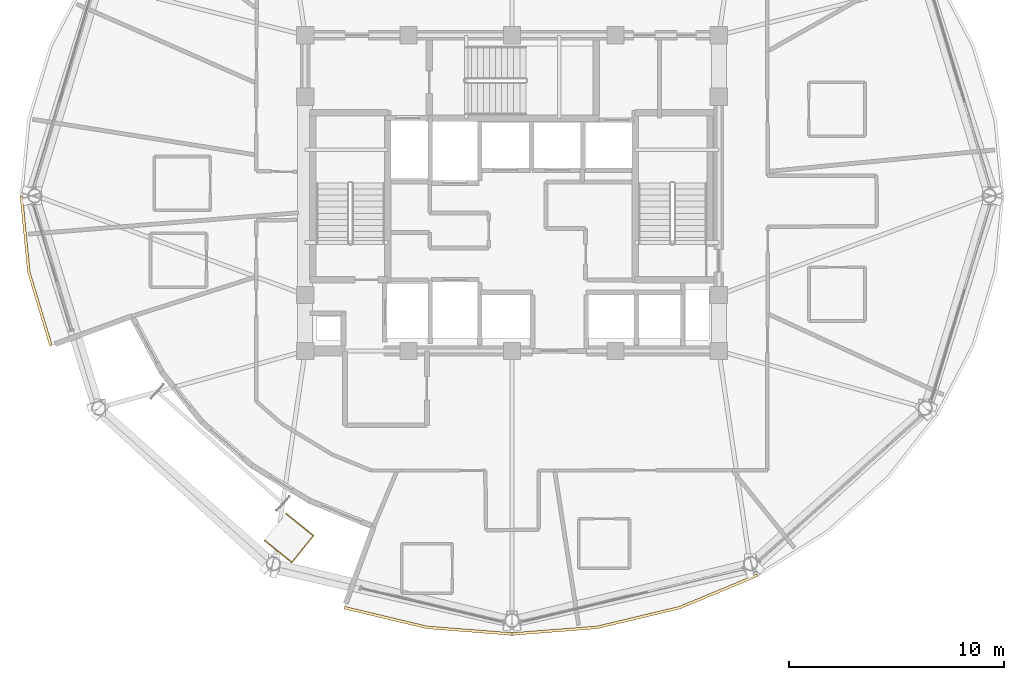
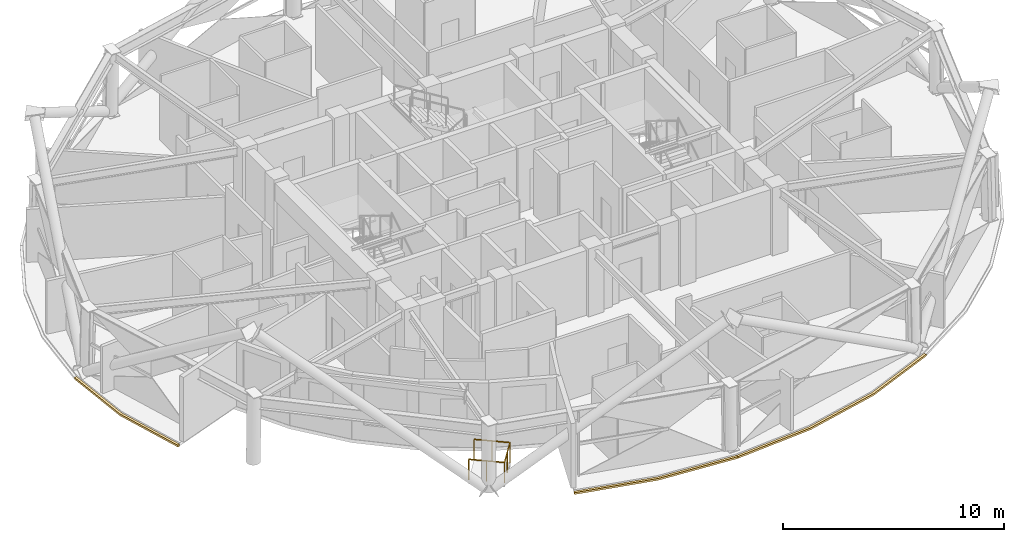
# One storey, part 15 of 18: 3 coverings, 1 railing.
"""IFC4 building model written with IfcOpenShell, lengths in metres."""

from ifc_helpers import new_model, si_unit, direction, frame, origin, origin_2d, place, context, subcontext, project, spatial, polyline, rectangle, outline, extrude, material, layer, layer_set, type_object, element, save


model = new_model("IFC4")

# Units and contexts
model_context = context("Model", 3, precision=1e-05, world=origin(), true_north=direction((0.0, 1.0)))
body_context = subcontext(model_context, "Body", "Model", "MODEL_VIEW")
ifc_project = project(units=[si_unit("LENGTHUNIT", "METRE"), si_unit("AREAUNIT", "SQUARE_METRE"), si_unit("VOLUMEUNIT", "CUBIC_METRE"), si_unit("PLANEANGLEUNIT", "RADIAN"), si_unit("MASSUNIT", "GRAM", prefix="KILO")], contexts=[model_context])

# Site, building, storey
site_placement = place(None, origin())
site = spatial("IfcSite", under=ifc_project, at=site_placement, CompositionType="ELEMENT")
building_placement = place(site_placement, origin())
building = spatial("IfcBuilding", under=site, at=building_placement, Name="Vantalir Tower", CompositionType="ELEMENT")
storey_placement = place(building_placement, frame((0.0, 0.0, 212.39990234375)))
storey = spatial("IfcBuildingStorey", under=building, at=storey_placement, Name="L53", CompositionType="ELEMENT", Elevation=212.39990234375)

# Coverings
ifc_material_1 = material(Name="Anodised champagne aluminium sill fascia", Category="aluminium")
ifc_layer = layer(ifc_material_1, 0.125)
ifc_layer_set = layer_set([ifc_layer], Name="Anodised champagne aluminium sill fascia")
covering_type = type_object("IfcCoveringType", Name="COV-SLAB-FASCIA-125", PredefinedType="CLADDING", material=ifc_layer_set)
covering_1_placement = place(storey_placement, frame((0.0, 0.0, -0.179931640625)))
element("IfcCovering", 1, at=covering_1_placement, inside=storey, type_object=covering_type, Name="L53 Perimeter Slab-Edge Sill Fascia 07", PredefinedType="CLADDING", context=body_context, shape_type="SweptSolid", body=[
    extrude(outline(polyline([(8.6640625, 25.0), (9.010986328125, 21.45703125), (10.041015625, 18.02197265625), (10.158935546875, 18.06494140625), (9.134033203125, 21.47900390625), (8.7890625, 25.0), (8.6640625, 25.0)])), origin(), (0.0, 0.0, 1.0), 0.10498046875),
])
covering_2_placement = place(storey_placement, frame((0.0, 0.0, -0.179931640625)))
element("IfcCovering", 2, at=covering_2_placement, inside=storey, type_object=covering_type, Name="L53 Perimeter Slab-Edge Sill Fascia 09", PredefinedType="CLADDING", context=body_context, shape_type="SweptSolid", body=[
    extrude(outline(polyline([(23.68994140625, 5.827880859375), (27.534912109375, 4.907958984375), (31.5, 4.597900390625), (31.5, 4.722900390625), (27.555908203125, 5.031005859375), (23.73193359375, 5.946044921875), (23.68994140625, 5.827880859375)])), origin(), (0.0, 0.0, 1.0), 0.10498046875),
])
covering_3_placement = place(storey_placement, frame((0.0, 0.0, -0.179931640625)))
element("IfcCovering", 3, at=covering_3_placement, inside=storey, type_object=covering_type, Name="L53 Perimeter Slab-Edge Sill Fascia 10", PredefinedType="CLADDING", context=body_context, shape_type="SweptSolid", body=[
    extrude(outline(polyline([(31.5, 4.597900390625), (35.465087890625, 4.907958984375), (39.31005859375, 5.827880859375), (42.91796875, 7.3310546875), (42.85595703125, 7.43994140625), (39.26806640625, 5.946044921875), (35.444091796875, 5.031005859375), (31.5, 4.722900390625), (31.5, 4.597900390625)])), origin(), (0.0, 0.0, 1.0), 0.10498046875),
])

# Railing
ifc_material_2 = material(Name="Laminated safety glass and champagne-silver balustrade", Category="glass")
railing_type = type_object("IfcRailingType", Name="RAL-BALUSTRADE-1200", PredefinedType="BALUSTRADE", material=ifc_material_2)
railing_placement = place(storey_placement, frame((20.009033203125, 9.013916015625, 0.0)))
element("IfcRailing", 4, at=railing_placement, inside=storey, type_object=railing_type, Name="Sky Garden Stair SG3 Upper Gallery Guard", PredefinedType="BALUSTRADE", context=body_context, shape_type="SweptSolid", body=[
    extrude(rectangle(XDim=0.048095703125, YDim=0.048095703125, at=origin_2d()), frame((0.0, 0.0, 1.1259765625), z_axis=(0.778450606115, -0.627705865704, 0.0), x_axis=(0.627705865704, 0.778450606115, 0.0)), (0.0, 0.0, 1.0), 1.638916015625),
    extrude(rectangle(XDim=0.048095703125, YDim=0.048095703125, at=origin_2d()), frame((1.27587890625, -1.02880859375, 1.1259765625), z_axis=(0.627686423228, 0.778466283211, 0.0), x_axis=(-0.778466283211, 0.627686423228, 0.0)), (0.0, 0.0, 1.0), 1.590087890625),
    extrude(rectangle(XDim=0.048095703125, YDim=0.048095703125, at=origin_2d()), frame((2.27392578125, 0.208984375, 1.1259765625), z_axis=(-0.778377821512, 0.627796118958, 0.0), x_axis=(-0.627796118958, -0.778377821512, 0.0)), (0.0, 0.0, 1.0), 1.63916015625),
    extrude(rectangle(XDim=0.0419921875, YDim=0.0419921875, at=origin_2d()), origin(), (0.0, 0.0, 1.0), 1.101806640625),
    extrude(rectangle(XDim=0.0419921875, YDim=0.0419921875, at=origin_2d()), frame((0.637939453125, -0.514404296875, 0.0)), (0.0, 0.0, 1.0), 1.101806640625),
    extrude(rectangle(XDim=0.0419921875, YDim=0.0419921875, at=origin_2d()), frame((1.27587890625, -1.02880859375, 0.0)), (0.0, 0.0, 1.0), 1.101806640625),
    extrude(rectangle(XDim=0.0419921875, YDim=0.0419921875, at=origin_2d()), frame((1.77490234375, -0.409912109375, 0.0)), (0.0, 0.0, 1.0), 1.101806640625),
    extrude(rectangle(XDim=0.0419921875, YDim=0.0419921875, at=origin_2d()), frame((2.27392578125, 0.208984375, 0.0)), (0.0, 0.0, 1.0), 1.101806640625),
    extrude(rectangle(XDim=0.0419921875, YDim=0.0419921875, at=origin_2d()), frame((1.635986328125, 0.7236328125, 0.0)), (0.0, 0.0, 1.0), 1.101806640625),
    extrude(rectangle(XDim=0.0419921875, YDim=0.0419921875, at=origin_2d()), frame((0.998046875, 1.238037109375, 0.0)), (0.0, 0.0, 1.0), 1.101806640625),
])

save(model, "model.ifc")
